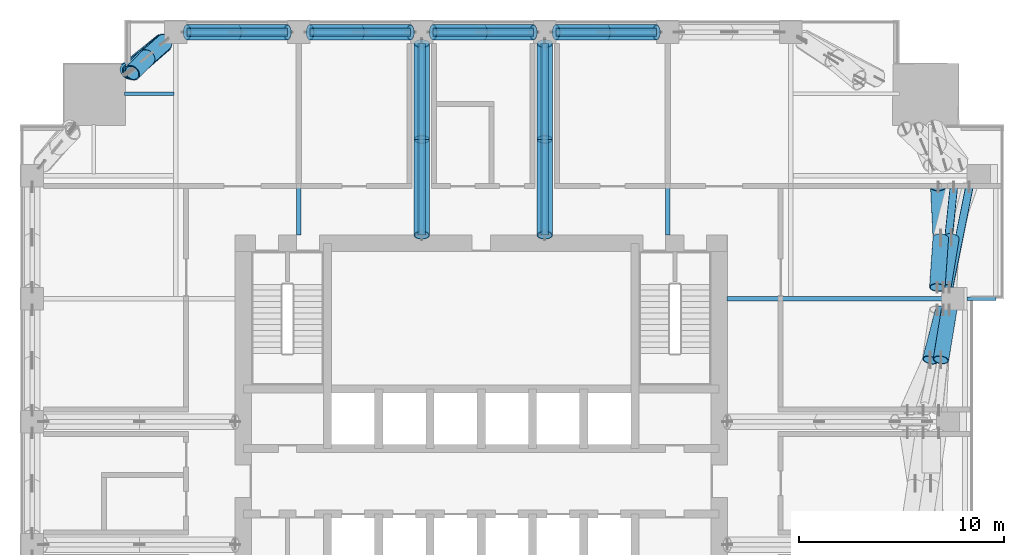
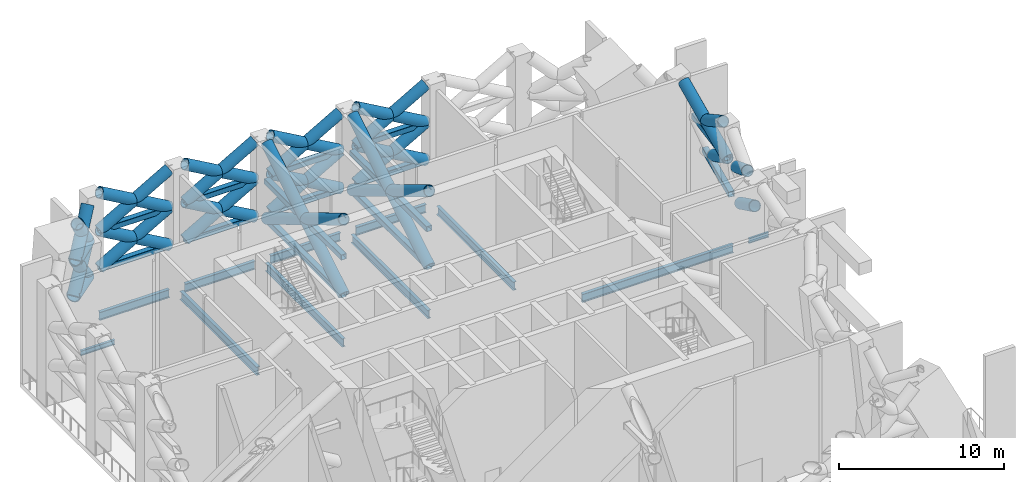
# One storey, part 5 of 19: 43 members, 27 beams.
"""IFC4 building model written with IfcOpenShell, lengths in metres."""

from ifc_helpers import new_model, si_unit, direction, frame, origin, origin_2d, place, context, subcontext, project, spatial, hollow_rectangle, hollow_circle, i_section, extrude, material, material_profile, profile_set, type_object, element, save


model = new_model("IFC4")

# Units and contexts
model_context = context("Model", 3, precision=1e-05, world=origin(), true_north=direction((0.0, 1.0)))
body_context = subcontext(model_context, "Body", "Model", "MODEL_VIEW")
ifc_project = project(units=[si_unit("LENGTHUNIT", "METRE"), si_unit("AREAUNIT", "SQUARE_METRE"), si_unit("VOLUMEUNIT", "CUBIC_METRE"), si_unit("PLANEANGLEUNIT", "RADIAN"), si_unit("MASSUNIT", "GRAM", prefix="KILO")], contexts=[model_context])

# Site, building, storey
site_placement = place(None, origin())
site = spatial("IfcSite", under=ifc_project, at=site_placement, CompositionType="ELEMENT")
building_placement = place(site_placement, origin())
building = spatial("IfcBuilding", under=site, at=building_placement, Name="Amberfall Residences", CompositionType="ELEMENT")
storey_placement = place(building_placement, frame((0.0, 0.0, 124.89990234375)))
storey = spatial("IfcBuildingStorey", under=building, at=storey_placement, Name="L34", CompositionType="ELEMENT", Elevation=124.89990234375)

# Beams
ifc_material = material(Name="Steel S355", Category="steel")
ifc_material_profile_1 = material_profile(ifc_material, hollow_circle(Radius=0.457275390625, WallThickness=0.06005859375, at=origin_2d()), Name="CHS 914.4x60")
ifc_profile_set_1 = profile_set([ifc_material_profile_1], Name="Steel S355")
beam_type_1 = type_object("IfcBeamType", Name="Belt truss chord BT CHS 914.4x60", PredefinedType="BEAM", material=ifc_profile_set_1)
beam_1_placement = place(storey_placement, frame((57.2314453125, 65.483154296875, 3.0), z_axis=(0.777354219234, 0.62906312707, 0.0), x_axis=(-0.62906312707, 0.777354219234, 0.0)))
element("IfcBeam", 1, at=beam_1_placement, inside=storey, type_object=beam_type_1, Name="Belt truss chord BT2 L34 NWN", PredefinedType="BEAM", context=body_context, shape_type="SweptSolid", body=[
    extrude(hollow_circle(Radius=0.457275390625, WallThickness=0.06005859375, at=origin_2d()), origin(), (0.0, 0.0, 1.0), 2.339599609375),
])
beam_2_placement = place(storey_placement, frame((57.352783203125, 65.449462890625, 5.646484375), z_axis=(0.755208583457, 0.655484550141, 0.0), x_axis=(-0.655484550141, 0.755208583457, 0.0)))
element("IfcBeam", 2, at=beam_2_placement, inside=storey, type_object=beam_type_1, Name="Belt truss chord BT2 L34 NWNm", PredefinedType="BEAM", context=body_context, shape_type="SweptSolid", body=[
    extrude(hollow_circle(Radius=0.457275390625, WallThickness=0.06005859375, at=origin_2d()), origin(), (0.0, 0.0, 1.0), 2.247314453125),
])
ifc_material_profile_2 = material_profile(ifc_material, hollow_rectangle(XDim=0.39990234375, YDim=0.39990234375, WallThickness=0.02001953125, InnerFilletRadius=0.02001953125, OuterFilletRadius=0.030029296875, at=origin_2d()), Name="RHS 400x400x20")
ifc_profile_set_2 = profile_set([ifc_material_profile_2], Name="Steel S355")
beam_type_2 = type_object("IfcBeamType", Name="Belt truss chord BT RHS 400x400x20", PredefinedType="BEAM", material=ifc_profile_set_2)
beam_3_placement = place(storey_placement, frame((97.321533203125, 54.949951171875, 2.900146484375), z_axis=(0.197797027719, 0.980242998356, 0.0), x_axis=(-0.980242998356, 0.197797027719, 0.0)))
element("IfcBeam", 3, at=beam_3_placement, inside=storey, type_object=beam_type_2, Name="Belt truss chord BT3 L34 E5", PredefinedType="BEAM", context=body_context, shape_type="SweptSolid", body=[
    extrude(hollow_rectangle(XDim=0.39990234375, YDim=0.39990234375, WallThickness=0.02001953125, InnerFilletRadius=0.02001953125, OuterFilletRadius=0.030029296875, at=origin_2d()), origin(), (0.0, 0.0, 1.0), 4.9990234375),
])
beam_4_placement = place(storey_placement, frame((97.03369140625, 54.949951171875, 5.7001953125), z_axis=(0.105432687382, 0.994426441941, 0.0), x_axis=(-0.994426441941, 0.105432687382, 0.0)))
element("IfcBeam", 4, at=beam_4_placement, inside=storey, type_object=beam_type_2, Name="Belt truss chord BT3 L34 E5m", PredefinedType="BEAM", context=body_context, shape_type="SweptSolid", body=[
    extrude(hollow_rectangle(XDim=0.39990234375, YDim=0.39990234375, WallThickness=0.02001953125, InnerFilletRadius=0.02001953125, OuterFilletRadius=0.030029296875, at=origin_2d()), origin(), (0.0, 0.0, 1.0), 4.927490234375),
])
for number, where, z_axis, x_axis, name in (
    (5, (60.14990234375, 67.39990234375, 2.900146484375), (1.0, 0.0, 0.0), (0.0, 1.0, 0.0), "Belt truss chord BT3 L34 N1"),
    (6, (60.14990234375, 67.39990234375, 5.7001953125), (1.0, 0.0, 0.0), (0.0, 1.0, 0.0), "Belt truss chord BT3 L34 N1m"),
    (7, (66.14990234375, 67.39990234375, 2.900146484375), (1.0, 0.0, 0.0), (0.0, 1.0, 0.0), "Belt truss chord BT3 L34 N2"),
    (8, (66.14990234375, 67.39990234375, 5.7001953125), (1.0, 0.0, 0.0), (0.0, 1.0, 0.0), "Belt truss chord BT3 L34 N2m"),
    (9, (72.14990234375, 67.39990234375, 2.900146484375), (1.0, 0.0, 0.0), (0.0, 1.0, 0.0), "Belt truss chord BT3 L34 N3"),
    (10, (72.14990234375, 67.39990234375, 5.7001953125), (1.0, 0.0, 0.0), (0.0, 1.0, 0.0), "Belt truss chord BT3 L34 N3m"),
    (11, (78.14990234375, 67.39990234375, 2.900146484375), (1.0, 0.0, 0.0), (0.0, 1.0, 0.0), "Belt truss chord BT3 L34 N4"),
    (12, (78.14990234375, 67.39990234375, 5.7001953125), (1.0, 0.0, 0.0), (0.0, 1.0, 0.0), "Belt truss chord BT3 L34 N4m"),
):
    element("IfcBeam", number, at=place(storey_placement, frame(where, z_axis=z_axis, x_axis=x_axis)), inside=storey, type_object=beam_type_2, Name=name, PredefinedType="BEAM", context=body_context, shape_type="SweptSolid", body=[
        extrude(hollow_rectangle(XDim=0.39990234375, YDim=0.39990234375, WallThickness=0.02001953125, InnerFilletRadius=0.02001953125, OuterFilletRadius=0.030029296875, at=origin_2d()), origin(), (0.0, 0.0, 1.0), 4.900146484375),
    ])

# Members
ifc_material_profile_3 = material_profile(ifc_material, hollow_circle(Radius=0.381103515625, WallThickness=0.0400390625, at=origin_2d()), Name="CHS 762x40")
ifc_profile_set_3 = profile_set([ifc_material_profile_3], Name="Steel S355")
member_type_1 = type_object("IfcMemberType", Name="Belt truss diagonal BT CHS 762x40", PredefinedType="BRACE", material=ifc_profile_set_3)
member_1_placement = place(storey_placement, frame((96.9228515625, 51.41943359375, 4.31103515625), z_axis=(0.140449818891, 0.856288056873, -0.4970358257), x_axis=(-0.986813913235, 0.161858891152, 0.0)))
element("IfcMember", 13, at=member_1_placement, inside=storey, type_object=member_type_1, Name="Belt truss diagonal BT4 L34 E4e2", PredefinedType="BRACE", context=body_context, shape_type="SweptSolid", body=[
    extrude(hollow_circle(Radius=0.381103515625, WallThickness=0.0400390625, at=origin_2d()), origin(), (0.0, 0.0, 1.0), 2.838623046875),
])
member_2_placement = place(storey_placement, frame((96.400634765625, 51.408447265625, 7.10498046875), z_axis=(0.219264295678, 0.845685391854, -0.486558718601), x_axis=(-0.96799341464, 0.250975594857, 0.0)))
element("IfcMember", 14, at=member_2_placement, inside=storey, type_object=member_type_1, Name="Belt truss diagonal BT4 L34 E4e2u", PredefinedType="BRACE", context=body_context, shape_type="SweptSolid", body=[
    extrude(hollow_circle(Radius=0.381103515625, WallThickness=0.0400390625, at=origin_2d()), origin(), (0.0, 0.0, 1.0), 2.88720703125),
])
member_3_placement = place(storey_placement, frame((97.03369140625, 54.949951171875, 5.7001953125), z_axis=(0.141866151114, 0.856097737359, -0.496961426327), x_axis=(-0.986546136452, 0.163483089801, 0.0)))
element("IfcMember", 15, at=member_3_placement, inside=storey, type_object=member_type_1, Name="Belt truss diagonal BT4 L34 E5e", PredefinedType="BRACE", context=body_context, shape_type="SweptSolid", body=[
    extrude(hollow_circle(Radius=0.381103515625, WallThickness=0.0400390625, at=origin_2d()), origin(), (0.0, 0.0, 1.0), 2.839599609375),
])
member_4_placement = place(storey_placement, frame((97.03369140625, 54.949951171875, 5.7001953125), z_axis=(-0.042011257015, 0.8674978802, 0.495663678448), x_axis=(-0.998829419121, -0.04837139133, 0.0)))
element("IfcMember", 16, at=member_4_placement, inside=storey, type_object=member_type_1, Name="Belt truss diagonal BT4 L34 E5du", PredefinedType="BRACE", context=body_context, shape_type="SweptSolid", body=[
    extrude(hollow_circle(Radius=0.381103515625, WallThickness=0.0400390625, at=origin_2d()), origin(), (0.0, 0.0, 1.0), 5.648681640625),
])
member_5_placement = place(storey_placement, frame((96.74560546875, 54.949951171875, 8.5), z_axis=(0.060831411853, 0.861285889828, -0.504466208299), x_axis=(-0.997515093742, 0.070453089055, 0.0)))
element("IfcMember", 17, at=member_5_placement, inside=storey, type_object=member_type_1, Name="Belt truss diagonal BT4 L34 E5eu", PredefinedType="BRACE", context=body_context, shape_type="SweptSolid", body=[
    extrude(hollow_circle(Radius=0.381103515625, WallThickness=0.0400390625, at=origin_2d()), origin(), (0.0, 0.0, 1.0), 2.809326171875),
])
member_6_placement = place(storey_placement, frame((60.14990234375, 67.39990234375, 2.900146484375), z_axis=(0.868245804187, 0.0, 0.496134279718), x_axis=(0.0, 1.0, 0.0)))
element("IfcMember", 18, at=member_6_placement, inside=storey, type_object=member_type_1, Name="Belt truss diagonal BT4 L34 N1d", PredefinedType="BRACE", context=body_context, shape_type="SweptSolid", body=[
    extrude(hollow_circle(Radius=0.381103515625, WallThickness=0.0400390625, at=origin_2d()), origin(), (0.0, 0.0, 1.0), 5.643798828125),
])
member_7_placement = place(storey_placement, frame((60.14990234375, 67.39990234375, 5.7001953125), z_axis=(0.868237818238, 0.0, -0.496148255042), x_axis=(0.0, 1.0, 0.0)))
element("IfcMember", 19, at=member_7_placement, inside=storey, type_object=member_type_1, Name="Belt truss diagonal BT4 L34 N1e", PredefinedType="BRACE", context=body_context, shape_type="SweptSolid", body=[
    extrude(hollow_circle(Radius=0.381103515625, WallThickness=0.0400390625, at=origin_2d()), origin(), (0.0, 0.0, 1.0), 2.822021484375),
])
member_8_placement = place(storey_placement, frame((62.60009765625, 67.39990234375, 4.300048828125), z_axis=(0.868253790854, 0.0, -0.496120302616), x_axis=(0.0, 1.0, 0.0)))
element("IfcMember", 20, at=member_8_placement, inside=storey, type_object=member_type_1, Name="Belt truss diagonal BT4 L34 N1e2", PredefinedType="BRACE", context=body_context, shape_type="SweptSolid", body=[
    extrude(hollow_circle(Radius=0.381103515625, WallThickness=0.0400390625, at=origin_2d()), origin(), (0.0, 0.0, 1.0), 2.82177734375),
])
member_9_placement = place(storey_placement, frame((60.14990234375, 67.39990234375, 5.7001953125), z_axis=(0.868264438383, 0.0, 0.496101668047), x_axis=(0.0, 1.0, 0.0)))
element("IfcMember", 21, at=member_9_placement, inside=storey, type_object=member_type_1, Name="Belt truss diagonal BT4 L34 N1du", PredefinedType="BRACE", context=body_context, shape_type="SweptSolid", body=[
    extrude(hollow_circle(Radius=0.381103515625, WallThickness=0.0400390625, at=origin_2d()), origin(), (0.0, 0.0, 1.0), 5.6435546875),
])
member_10_placement = place(storey_placement, frame((60.14990234375, 67.39990234375, 8.5), z_axis=(0.868275084713, 0.0, -0.49608303465), x_axis=(0.0, 1.0, 0.0)))
element("IfcMember", 22, at=member_10_placement, inside=storey, type_object=member_type_1, Name="Belt truss diagonal BT4 L34 N1eu", PredefinedType="BRACE", context=body_context, shape_type="SweptSolid", body=[
    extrude(hollow_circle(Radius=0.381103515625, WallThickness=0.0400390625, at=origin_2d()), origin(), (0.0, 0.0, 1.0), 2.822021484375),
])
member_11_placement = place(storey_placement, frame((62.60009765625, 67.39990234375, 7.10009765625), z_axis=(0.868253790854, 0.0, -0.496120302616), x_axis=(0.0, 1.0, 0.0)))
element("IfcMember", 23, at=member_11_placement, inside=storey, type_object=member_type_1, Name="Belt truss diagonal BT4 L34 N1e2u", PredefinedType="BRACE", context=body_context, shape_type="SweptSolid", body=[
    extrude(hollow_circle(Radius=0.381103515625, WallThickness=0.0400390625, at=origin_2d()), origin(), (0.0, 0.0, 1.0), 2.82177734375),
])
member_12_placement = place(storey_placement, frame((66.14990234375, 67.39990234375, 2.900146484375), z_axis=(0.868245804187, 0.0, 0.496134279718), x_axis=(0.0, 1.0, 0.0)))
element("IfcMember", 24, at=member_12_placement, inside=storey, type_object=member_type_1, Name="Belt truss diagonal BT4 L34 N2d", PredefinedType="BRACE", context=body_context, shape_type="SweptSolid", body=[
    extrude(hollow_circle(Radius=0.381103515625, WallThickness=0.0400390625, at=origin_2d()), origin(), (0.0, 0.0, 1.0), 5.643798828125),
])
member_13_placement = place(storey_placement, frame((66.14990234375, 67.39990234375, 5.7001953125), z_axis=(0.868237818238, 0.0, -0.496148255042), x_axis=(0.0, 1.0, 0.0)))
element("IfcMember", 25, at=member_13_placement, inside=storey, type_object=member_type_1, Name="Belt truss diagonal BT4 L34 N2e", PredefinedType="BRACE", context=body_context, shape_type="SweptSolid", body=[
    extrude(hollow_circle(Radius=0.381103515625, WallThickness=0.0400390625, at=origin_2d()), origin(), (0.0, 0.0, 1.0), 2.822021484375),
])
member_14_placement = place(storey_placement, frame((68.60009765625, 67.39990234375, 4.300048828125), z_axis=(0.868253790854, 0.0, -0.496120302616), x_axis=(0.0, 1.0, 0.0)))
element("IfcMember", 26, at=member_14_placement, inside=storey, type_object=member_type_1, Name="Belt truss diagonal BT4 L34 N2e2", PredefinedType="BRACE", context=body_context, shape_type="SweptSolid", body=[
    extrude(hollow_circle(Radius=0.381103515625, WallThickness=0.0400390625, at=origin_2d()), origin(), (0.0, 0.0, 1.0), 2.82177734375),
])
member_15_placement = place(storey_placement, frame((66.14990234375, 67.39990234375, 5.7001953125), z_axis=(0.868264438383, 0.0, 0.496101668047), x_axis=(0.0, 1.0, 0.0)))
element("IfcMember", 27, at=member_15_placement, inside=storey, type_object=member_type_1, Name="Belt truss diagonal BT4 L34 N2du", PredefinedType="BRACE", context=body_context, shape_type="SweptSolid", body=[
    extrude(hollow_circle(Radius=0.381103515625, WallThickness=0.0400390625, at=origin_2d()), origin(), (0.0, 0.0, 1.0), 5.6435546875),
])
member_16_placement = place(storey_placement, frame((66.14990234375, 67.39990234375, 8.5), z_axis=(0.868275084713, 0.0, -0.49608303465), x_axis=(0.0, 1.0, 0.0)))
element("IfcMember", 28, at=member_16_placement, inside=storey, type_object=member_type_1, Name="Belt truss diagonal BT4 L34 N2eu", PredefinedType="BRACE", context=body_context, shape_type="SweptSolid", body=[
    extrude(hollow_circle(Radius=0.381103515625, WallThickness=0.0400390625, at=origin_2d()), origin(), (0.0, 0.0, 1.0), 2.822021484375),
])
member_17_placement = place(storey_placement, frame((68.60009765625, 67.39990234375, 7.10009765625), z_axis=(0.868253790854, 0.0, -0.496120302616), x_axis=(0.0, 1.0, 0.0)))
element("IfcMember", 29, at=member_17_placement, inside=storey, type_object=member_type_1, Name="Belt truss diagonal BT4 L34 N2e2u", PredefinedType="BRACE", context=body_context, shape_type="SweptSolid", body=[
    extrude(hollow_circle(Radius=0.381103515625, WallThickness=0.0400390625, at=origin_2d()), origin(), (0.0, 0.0, 1.0), 2.82177734375),
])
member_18_placement = place(storey_placement, frame((72.14990234375, 67.39990234375, 2.900146484375), z_axis=(0.868245804187, 0.0, 0.496134279718), x_axis=(0.0, 1.0, 0.0)))
element("IfcMember", 30, at=member_18_placement, inside=storey, type_object=member_type_1, Name="Belt truss diagonal BT4 L34 N3d", PredefinedType="BRACE", context=body_context, shape_type="SweptSolid", body=[
    extrude(hollow_circle(Radius=0.381103515625, WallThickness=0.0400390625, at=origin_2d()), origin(), (0.0, 0.0, 1.0), 5.643798828125),
])
member_19_placement = place(storey_placement, frame((72.14990234375, 67.39990234375, 5.7001953125), z_axis=(0.868237818238, 0.0, -0.496148255042), x_axis=(0.0, 1.0, 0.0)))
element("IfcMember", 31, at=member_19_placement, inside=storey, type_object=member_type_1, Name="Belt truss diagonal BT4 L34 N3e", PredefinedType="BRACE", context=body_context, shape_type="SweptSolid", body=[
    extrude(hollow_circle(Radius=0.381103515625, WallThickness=0.0400390625, at=origin_2d()), origin(), (0.0, 0.0, 1.0), 2.822021484375),
])
member_20_placement = place(storey_placement, frame((74.60009765625, 67.39990234375, 4.300048828125), z_axis=(0.868253790854, 0.0, -0.496120302616), x_axis=(0.0, 1.0, 0.0)))
element("IfcMember", 32, at=member_20_placement, inside=storey, type_object=member_type_1, Name="Belt truss diagonal BT4 L34 N3e2", PredefinedType="BRACE", context=body_context, shape_type="SweptSolid", body=[
    extrude(hollow_circle(Radius=0.381103515625, WallThickness=0.0400390625, at=origin_2d()), origin(), (0.0, 0.0, 1.0), 2.82177734375),
])
member_21_placement = place(storey_placement, frame((72.14990234375, 67.39990234375, 5.7001953125), z_axis=(0.868264438383, 0.0, 0.496101668047), x_axis=(0.0, 1.0, 0.0)))
element("IfcMember", 33, at=member_21_placement, inside=storey, type_object=member_type_1, Name="Belt truss diagonal BT4 L34 N3du", PredefinedType="BRACE", context=body_context, shape_type="SweptSolid", body=[
    extrude(hollow_circle(Radius=0.381103515625, WallThickness=0.0400390625, at=origin_2d()), origin(), (0.0, 0.0, 1.0), 5.6435546875),
])
member_22_placement = place(storey_placement, frame((72.14990234375, 67.39990234375, 8.5), z_axis=(0.868275084713, 0.0, -0.49608303465), x_axis=(0.0, 1.0, 0.0)))
element("IfcMember", 34, at=member_22_placement, inside=storey, type_object=member_type_1, Name="Belt truss diagonal BT4 L34 N3eu", PredefinedType="BRACE", context=body_context, shape_type="SweptSolid", body=[
    extrude(hollow_circle(Radius=0.381103515625, WallThickness=0.0400390625, at=origin_2d()), origin(), (0.0, 0.0, 1.0), 2.822021484375),
])
member_23_placement = place(storey_placement, frame((74.60009765625, 67.39990234375, 7.10009765625), z_axis=(0.868253790854, 0.0, -0.496120302616), x_axis=(0.0, 1.0, 0.0)))
element("IfcMember", 35, at=member_23_placement, inside=storey, type_object=member_type_1, Name="Belt truss diagonal BT4 L34 N3e2u", PredefinedType="BRACE", context=body_context, shape_type="SweptSolid", body=[
    extrude(hollow_circle(Radius=0.381103515625, WallThickness=0.0400390625, at=origin_2d()), origin(), (0.0, 0.0, 1.0), 2.82177734375),
])
member_24_placement = place(storey_placement, frame((78.14990234375, 67.39990234375, 2.900146484375), z_axis=(0.868245804187, 0.0, 0.496134279718), x_axis=(0.0, 1.0, 0.0)))
element("IfcMember", 36, at=member_24_placement, inside=storey, type_object=member_type_1, Name="Belt truss diagonal BT4 L34 N4d", PredefinedType="BRACE", context=body_context, shape_type="SweptSolid", body=[
    extrude(hollow_circle(Radius=0.381103515625, WallThickness=0.0400390625, at=origin_2d()), origin(), (0.0, 0.0, 1.0), 5.643798828125),
])
member_25_placement = place(storey_placement, frame((78.14990234375, 67.39990234375, 5.7001953125), z_axis=(0.868237818238, 0.0, -0.496148255042), x_axis=(0.0, 1.0, 0.0)))
element("IfcMember", 37, at=member_25_placement, inside=storey, type_object=member_type_1, Name="Belt truss diagonal BT4 L34 N4e", PredefinedType="BRACE", context=body_context, shape_type="SweptSolid", body=[
    extrude(hollow_circle(Radius=0.381103515625, WallThickness=0.0400390625, at=origin_2d()), origin(), (0.0, 0.0, 1.0), 2.822021484375),
])
member_26_placement = place(storey_placement, frame((80.60009765625, 67.39990234375, 4.300048828125), z_axis=(0.868253790854, 0.0, -0.496120302616), x_axis=(0.0, 1.0, 0.0)))
element("IfcMember", 38, at=member_26_placement, inside=storey, type_object=member_type_1, Name="Belt truss diagonal BT4 L34 N4e2", PredefinedType="BRACE", context=body_context, shape_type="SweptSolid", body=[
    extrude(hollow_circle(Radius=0.381103515625, WallThickness=0.0400390625, at=origin_2d()), origin(), (0.0, 0.0, 1.0), 2.82177734375),
])
member_27_placement = place(storey_placement, frame((78.14990234375, 67.39990234375, 5.7001953125), z_axis=(0.868264438383, 0.0, 0.496101668047), x_axis=(0.0, 1.0, 0.0)))
element("IfcMember", 39, at=member_27_placement, inside=storey, type_object=member_type_1, Name="Belt truss diagonal BT4 L34 N4du", PredefinedType="BRACE", context=body_context, shape_type="SweptSolid", body=[
    extrude(hollow_circle(Radius=0.381103515625, WallThickness=0.0400390625, at=origin_2d()), origin(), (0.0, 0.0, 1.0), 5.6435546875),
])
member_28_placement = place(storey_placement, frame((78.14990234375, 67.39990234375, 8.5), z_axis=(0.868275084713, 0.0, -0.49608303465), x_axis=(0.0, 1.0, 0.0)))
element("IfcMember", 40, at=member_28_placement, inside=storey, type_object=member_type_1, Name="Belt truss diagonal BT4 L34 N4eu", PredefinedType="BRACE", context=body_context, shape_type="SweptSolid", body=[
    extrude(hollow_circle(Radius=0.381103515625, WallThickness=0.0400390625, at=origin_2d()), origin(), (0.0, 0.0, 1.0), 2.822021484375),
])
member_29_placement = place(storey_placement, frame((80.60009765625, 67.39990234375, 7.10009765625), z_axis=(0.868253790854, 0.0, -0.496120302616), x_axis=(0.0, 1.0, 0.0)))
element("IfcMember", 41, at=member_29_placement, inside=storey, type_object=member_type_1, Name="Belt truss diagonal BT4 L34 N4e2u", PredefinedType="BRACE", context=body_context, shape_type="SweptSolid", body=[
    extrude(hollow_circle(Radius=0.381103515625, WallThickness=0.0400390625, at=origin_2d()), origin(), (0.0, 0.0, 1.0), 2.82177734375),
])
ifc_material_profile_4 = material_profile(ifc_material, hollow_circle(Radius=0.406494140625, WallThickness=0.050048828125, at=origin_2d()), Name="CHS 813x50")
ifc_profile_set_4 = profile_set([ifc_material_profile_4], Name="Steel S355")
member_type_2 = type_object("IfcMemberType", Name="Belt truss diagonal BT CHS 813x50", PredefinedType="BRACE", material=ifc_profile_set_4)
member_30_placement = place(storey_placement, frame((57.2314453125, 65.483154296875, 3.0), z_axis=(0.516798410172, 0.409054024214, 0.752059976676), x_axis=(-0.620630145139, 0.784103451686, 0.0)))
element("IfcMember", 42, at=member_30_placement, inside=storey, type_object=member_type_2, Name="Belt truss diagonal BT5 L34 NWNd", PredefinedType="BRACE", context=body_context, shape_type="SweptSolid", body=[
    extrude(hollow_circle(Radius=0.406494140625, WallThickness=0.050048828125, at=origin_2d()), origin(), (0.0, 0.0, 1.0), 3.51904296875),
])
member_31_placement = place(storey_placement, frame((57.352783203125, 65.449462890625, 5.646484375), z_axis=(0.472003790495, 0.449432180659, -0.758434662148), x_axis=(-0.689578542517, 0.724210904157, 0.0)))
element("IfcMember", 43, at=member_31_placement, inside=storey, type_object=member_type_2, Name="Belt truss diagonal BT5 L34 NWNe", PredefinedType="BRACE", context=body_context, shape_type="SweptSolid", body=[
    extrude(hollow_circle(Radius=0.406494140625, WallThickness=0.050048828125, at=origin_2d()), origin(), (0.0, 0.0, 1.0), 1.708984375),
])
member_32_placement = place(storey_placement, frame((58.159423828125, 66.217529296875, 4.350341796875), z_axis=(0.500995566484, 0.414749619184, -0.759596074075), x_axis=(-0.637688706892, 0.770294173094, 0.0)))
element("IfcMember", 44, at=member_32_placement, inside=storey, type_object=member_type_2, Name="Belt truss diagonal BT5 L34 NWNe2", PredefinedType="BRACE", context=body_context, shape_type="SweptSolid", body=[
    extrude(hollow_circle(Radius=0.406494140625, WallThickness=0.050048828125, at=origin_2d()), origin(), (0.0, 0.0, 1.0), 1.77783203125),
])
member_33_placement = place(storey_placement, frame((57.352783203125, 65.449462890625, 5.646484375), z_axis=(0.49084648429, 0.416287524651, 0.765359017507), x_axis=(-0.64680734307, 0.762653434366, 0.0)))
element("IfcMember", 45, at=member_33_placement, inside=storey, type_object=member_type_2, Name="Belt truss diagonal BT5 L34 NWNdu", PredefinedType="BRACE", context=body_context, shape_type="SweptSolid", body=[
    extrude(hollow_circle(Radius=0.406494140625, WallThickness=0.050048828125, at=origin_2d()), origin(), (0.0, 0.0, 1.0), 3.457763671875),
])
member_34_placement = place(storey_placement, frame((57.471923828125, 65.42236328125, 8.29296875), z_axis=(0.445547804043, 0.454130017702, -0.771526461849), x_axis=(-0.713819542886, 0.700329679647, 0.0)))
element("IfcMember", 46, at=member_34_placement, inside=storey, type_object=member_type_2, Name="Belt truss diagonal BT5 L34 NWNeu", PredefinedType="BRACE", context=body_context, shape_type="SweptSolid", body=[
    extrude(hollow_circle(Radius=0.406494140625, WallThickness=0.050048828125, at=origin_2d()), origin(), (0.0, 0.0, 1.0), 1.678466796875),
])
member_35_placement = place(storey_placement, frame((58.2197265625, 66.1845703125, 6.998046875), z_axis=(0.474597344075, 0.421848800688, -0.772528931727), x_axis=(-0.664350198121, 0.747421443536, 0.0)))
element("IfcMember", 47, at=member_35_placement, inside=storey, type_object=member_type_2, Name="Belt truss diagonal BT5 L34 NWNe2u", PredefinedType="BRACE", context=body_context, shape_type="SweptSolid", body=[
    extrude(hollow_circle(Radius=0.406494140625, WallThickness=0.050048828125, at=origin_2d()), origin(), (0.0, 0.0, 1.0), 1.74951171875),
])

# Beams
ifc_material_profile_5 = material_profile(ifc_material, i_section(OverallWidth=0.171142578125, OverallDepth=0.351318359375, WebThickness=0.007080078125, FlangeThickness=0.009765625, FilletRadius=0.01025390625, at=origin_2d()), Name="UB 356x171x45")
ifc_profile_set_5 = profile_set([ifc_material_profile_5], Name="Steel S355")
beam_type_3 = type_object("IfcBeamType", Name="Cantilever girder UB 356x171x45", PredefinedType="BEAM", material=ifc_profile_set_5)
beam_5_placement = place(storey_placement, frame((98.199951171875, 54.39990234375, -0.525634765625), z_axis=(1.0, 0.0, 0.0), x_axis=(0.0, 1.0, 0.0)))
element("IfcBeam", 48, at=beam_5_placement, inside=storey, type_object=beam_type_3, Name="Cantilever girder B8 L34 22", PredefinedType="BEAM", context=body_context, shape_type="SweptSolid", body=[
    extrude(i_section(OverallWidth=0.171142578125, OverallDepth=0.351318359375, WebThickness=0.007080078125, FlangeThickness=0.009765625, FilletRadius=0.01025390625, at=origin_2d()), origin(), (0.0, 0.0, 1.0), 1.400146484375),
])
ifc_material_profile_6 = material_profile(ifc_material, i_section(OverallWidth=0.228271484375, OverallDepth=0.607666015625, WebThickness=0.010986328125, FlangeThickness=0.017333984375, FilletRadius=0.0126953125, at=origin_2d()), Name="UB 610x229x113")
ifc_profile_set_6 = profile_set([ifc_material_profile_6], Name="Steel S355")
beam_type_4 = type_object("IfcBeamType", Name="Edge beam UB 610x229x113", PredefinedType="SPANDREL", material=ifc_profile_set_6)
for number, where, z_axis, x_axis, name in (
    (49, (60.14990234375, 67.39990234375, -0.65380859375), (1.0, 0.0, 0.0), (0.0, 1.0, 0.0), "Edge beam B12 L34 29"),
    (50, (66.14990234375, 67.39990234375, -0.65380859375), (1.0, 0.0, 0.0), (0.0, 1.0, 0.0), "Edge beam B12 L34 30"),
    (51, (72.14990234375, 67.39990234375, -0.65380859375), (1.0, 0.0, 0.0), (0.0, 1.0, 0.0), "Edge beam B12 L34 31"),
    (52, (78.14990234375, 67.39990234375, -0.65380859375), (1.0, 0.0, 0.0), (0.0, 1.0, 0.0), "Edge beam B12 L34 32"),
):
    element("IfcBeam", number, at=place(storey_placement, frame(where, z_axis=z_axis, x_axis=x_axis)), inside=storey, type_object=beam_type_4, Name=name, PredefinedType="SPANDREL", context=body_context, shape_type="SweptSolid", body=[
        extrude(i_section(OverallWidth=0.228271484375, OverallDepth=0.607666015625, WebThickness=0.010986328125, FlangeThickness=0.017333984375, FilletRadius=0.0126953125, at=origin_2d()), origin(), (0.0, 0.0, 1.0), 4.900146484375),
    ])
ifc_material_profile_7 = material_profile(ifc_material, i_section(OverallWidth=0.230224609375, OverallDepth=0.6171875, WebThickness=0.01318359375, FlangeThickness=0.022216796875, FilletRadius=0.0126953125, at=origin_2d()), Name="UB 610x229x140")
ifc_profile_set_7 = profile_set([ifc_material_profile_7], Name="Steel S355")
beam_type_5 = type_object("IfcBeamType", Name="Floor girder UB 610x229x140", PredefinedType="BEAM", material=ifc_profile_set_7)
beam_6_placement = place(storey_placement, frame((97.10009765625, 54.39990234375, -0.658447265625), z_axis=(-1.0, 0.0, 0.0), x_axis=(0.0, -1.0, 0.0)))
element("IfcBeam", 53, at=beam_6_placement, inside=storey, type_object=beam_type_5, Name="Floor girder B13 L34 27", PredefinedType="BEAM", context=body_context, shape_type="SweptSolid", body=[
    extrude(i_section(OverallWidth=0.230224609375, OverallDepth=0.6171875, WebThickness=0.01318359375, FlangeThickness=0.022216796875, FilletRadius=0.0126953125, at=origin_2d()), origin(), (0.0, 0.0, 1.0), 10.60009765625),
])
for number, where, z_axis, x_axis, name in (
    (54, (65.60009765625, 66.85009765625, -0.658447265625), (0.0, -1.0, 0.0), (1.0, 0.0, 0.0), "Floor girder B13 L34 35"),
    (55, (71.60009765625, 66.85009765625, -0.658447265625), (0.0, -1.0, 0.0), (1.0, 0.0, 0.0), "Floor girder B13 L34 36"),
    (56, (77.60009765625, 66.85009765625, -0.658447265625), (0.0, -1.0, 0.0), (1.0, 0.0, 0.0), "Floor girder B13 L34 37"),
    (57, (83.60009765625, 66.85009765625, -0.658447265625), (0.0, -1.0, 0.0), (1.0, 0.0, 0.0), "Floor girder B13 L34 38"),
):
    element("IfcBeam", number, at=place(storey_placement, frame(where, z_axis=z_axis, x_axis=x_axis)), inside=storey, type_object=beam_type_5, Name=name, PredefinedType="BEAM", context=body_context, shape_type="SweptSolid", body=[
        extrude(i_section(OverallWidth=0.230224609375, OverallDepth=0.6171875, WebThickness=0.01318359375, FlangeThickness=0.022216796875, FilletRadius=0.0126953125, at=origin_2d()), origin(), (0.0, 0.0, 1.0), 9.35009765625),
    ])
ifc_material_profile_8 = material_profile(ifc_material, i_section(OverallWidth=0.171142578125, OverallDepth=0.351318359375, WebThickness=0.007080078125, FlangeThickness=0.009765625, FilletRadius=0.01025390625, at=origin_2d()), Name="UB 356x171x45")
ifc_profile_set_8 = profile_set([ifc_material_profile_8], Name="Steel S355")
beam_type_6 = type_object("IfcBeamType", Name="Link beam UB 356x171x45", PredefinedType="BEAM", material=ifc_profile_set_8)
beam_7_placement = place(storey_placement, frame((57.10009765625, 64.39990234375, -0.525634765625), z_axis=(1.0, 0.0, 0.0), x_axis=(0.0, 1.0, 0.0)))
element("IfcBeam", 58, at=beam_7_placement, inside=storey, type_object=beam_type_6, Name="Link beam B7 L34 58", PredefinedType="BEAM", context=body_context, shape_type="SweptSolid", body=[
    extrude(i_section(OverallWidth=0.171142578125, OverallDepth=0.351318359375, WebThickness=0.007080078125, FlangeThickness=0.009765625, FilletRadius=0.01025390625, at=origin_2d()), origin(), (0.0, 0.0, 1.0), 2.404541015625),
])
ifc_material_profile_9 = material_profile(ifc_material, hollow_rectangle(XDim=0.39990234375, YDim=0.39990234375, WallThickness=0.02001953125, InnerFilletRadius=0.02001953125, OuterFilletRadius=0.030029296875, at=origin_2d()), Name="RHS 400x400x20")
ifc_profile_set_9 = profile_set([ifc_material_profile_9], Name="Steel S355")
beam_type_7 = type_object("IfcBeamType", Name="Outrigger truss chord OT RHS 400x400x20", PredefinedType="BEAM", material=ifc_profile_set_9)
for number, where, z_axis, x_axis, name in (
    (59, (71.60009765625, 66.85009765625, 2.900146484375), (0.0, -1.0, 0.0), (1.0, 0.0, 0.0), "Outrigger truss chord OT2 L34 3"),
    (60, (71.60009765625, 66.85009765625, 5.7001953125), (0.0, -1.0, 0.0), (1.0, 0.0, 0.0), "Outrigger truss chord OT2 L34 3m"),
    (61, (77.60009765625, 66.85009765625, 2.900146484375), (0.0, -1.0, 0.0), (1.0, 0.0, 0.0), "Outrigger truss chord OT2 L34 4"),
    (62, (77.60009765625, 66.85009765625, 5.7001953125), (0.0, -1.0, 0.0), (1.0, 0.0, 0.0), "Outrigger truss chord OT2 L34 4m"),
):
    element("IfcBeam", number, at=place(storey_placement, frame(where, z_axis=z_axis, x_axis=x_axis)), inside=storey, type_object=beam_type_7, Name=name, PredefinedType="BEAM", context=body_context, shape_type="SweptSolid", body=[
        extrude(hollow_rectangle(XDim=0.39990234375, YDim=0.39990234375, WallThickness=0.02001953125, InnerFilletRadius=0.02001953125, OuterFilletRadius=0.030029296875, at=origin_2d()), origin(), (0.0, 0.0, 1.0), 9.35009765625),
    ])

# Members
ifc_material_profile_10 = material_profile(ifc_material, hollow_circle(Radius=0.381103515625, WallThickness=0.0400390625, at=origin_2d()), Name="CHS 762x40")
ifc_profile_set_10 = profile_set([ifc_material_profile_10], Name="Steel S355")
member_type_3 = type_object("IfcMemberType", Name="Outrigger truss diagonal OT CHS 762x40", PredefinedType="BRACE", material=ifc_profile_set_10)
for number, where, z_axis, x_axis, name in (
    (63, (71.60009765625, 66.85009765625, 2.900146484375), (0.0, -0.857895872099, 0.513823581237), (1.0, 0.0, 0.0), "Outrigger truss diagonal OT3 L34 3.1"),
    (64, (71.60009765625, 62.175048828125, 5.7001953125), (0.0, -0.857895872099, -0.513823581237), (1.0, 0.0, 0.0), "Outrigger truss diagonal OT3 L34 3.2"),
):
    element("IfcMember", number, at=place(storey_placement, frame(where, z_axis=z_axis, x_axis=x_axis)), inside=storey, type_object=member_type_3, Name=name, PredefinedType="BRACE", context=body_context, shape_type="SweptSolid", body=[
        extrude(hollow_circle(Radius=0.381103515625, WallThickness=0.0400390625, at=origin_2d()), origin(), (0.0, 0.0, 1.0), 5.449462890625),
    ])
for number, where, z_axis, x_axis, name in (
    (65, (71.60009765625, 66.85009765625, 8.5), (0.0, -0.857915620555, -0.513790607161), (1.0, 0.0, 0.0), "Outrigger truss diagonal OT3 L34 3.1u"),
    (66, (71.60009765625, 62.175048828125, 5.7001953125), (0.0, -0.857915620555, 0.513790607161), (1.0, 0.0, 0.0), "Outrigger truss diagonal OT3 L34 3.2u"),
):
    element("IfcMember", number, at=place(storey_placement, frame(where, z_axis=z_axis, x_axis=x_axis)), inside=storey, type_object=member_type_3, Name=name, PredefinedType="BRACE", context=body_context, shape_type="SweptSolid", body=[
        extrude(hollow_circle(Radius=0.381103515625, WallThickness=0.0400390625, at=origin_2d()), origin(), (0.0, 0.0, 1.0), 5.44921875),
    ])
for number, where, z_axis, x_axis, name in (
    (67, (77.60009765625, 66.85009765625, 2.900146484375), (0.0, -0.857895872099, 0.513823581237), (1.0, 0.0, 0.0), "Outrigger truss diagonal OT3 L34 4.1"),
    (68, (77.60009765625, 62.175048828125, 5.7001953125), (0.0, -0.857895872099, -0.513823581237), (1.0, 0.0, 0.0), "Outrigger truss diagonal OT3 L34 4.2"),
):
    element("IfcMember", number, at=place(storey_placement, frame(where, z_axis=z_axis, x_axis=x_axis)), inside=storey, type_object=member_type_3, Name=name, PredefinedType="BRACE", context=body_context, shape_type="SweptSolid", body=[
        extrude(hollow_circle(Radius=0.381103515625, WallThickness=0.0400390625, at=origin_2d()), origin(), (0.0, 0.0, 1.0), 5.449462890625),
    ])
for number, where, z_axis, x_axis, name in (
    (69, (77.60009765625, 66.85009765625, 8.5), (0.0, -0.857915620555, -0.513790607161), (1.0, 0.0, 0.0), "Outrigger truss diagonal OT3 L34 4.1u"),
    (70, (77.60009765625, 62.175048828125, 5.7001953125), (0.0, -0.857915620555, 0.513790607161), (1.0, 0.0, 0.0), "Outrigger truss diagonal OT3 L34 4.2u"),
):
    element("IfcMember", number, at=place(storey_placement, frame(where, z_axis=z_axis, x_axis=x_axis)), inside=storey, type_object=member_type_3, Name=name, PredefinedType="BRACE", context=body_context, shape_type="SweptSolid", body=[
        extrude(hollow_circle(Radius=0.381103515625, WallThickness=0.0400390625, at=origin_2d()), origin(), (0.0, 0.0, 1.0), 5.44921875),
    ])

save(model, "model.ifc")
